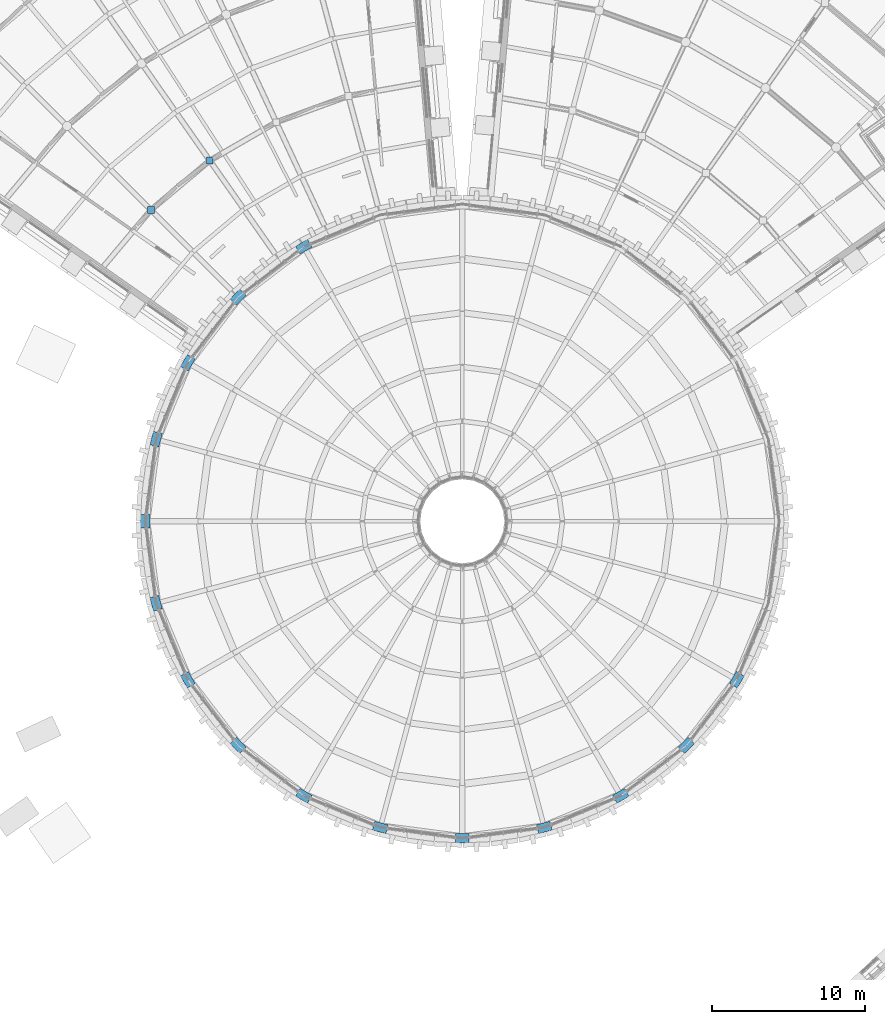
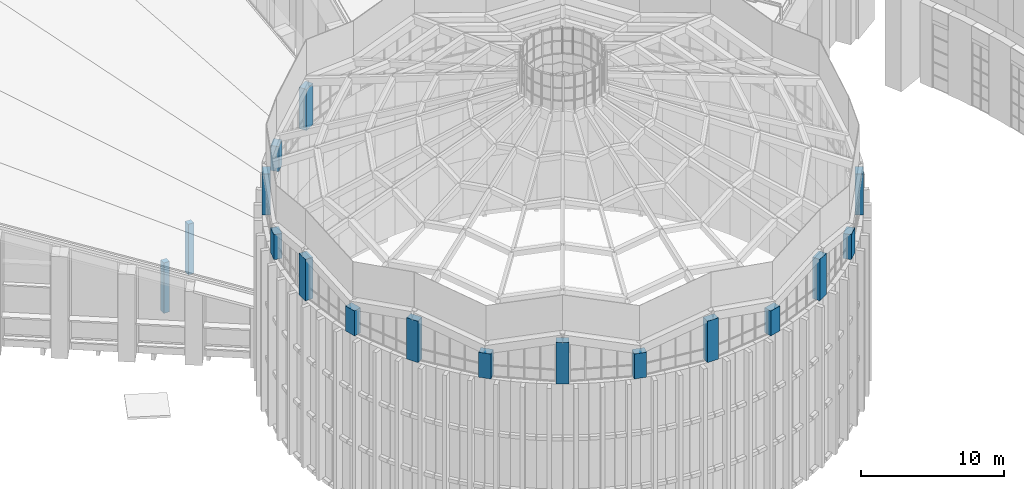
# One storey, part 1 of 82: 17 columns.
"""IFC4 building model written with IfcOpenShell, lengths in metres."""

from ifc_helpers import new_model, si_unit, direction, frame, origin, origin_2d, place, context, subcontext, project, spatial, rectangle, extrude, material, material_profile, profile_set, type_object, element, save


model = new_model("IFC4")

# Units and contexts
model_context = context("Model", 3, precision=1e-05, world=origin(), true_north=direction((0.0, 1.0)))
body_context = subcontext(model_context, "Body", "Model", "MODEL_VIEW")
ifc_project = project(units=[si_unit("LENGTHUNIT", "METRE"), si_unit("AREAUNIT", "SQUARE_METRE"), si_unit("VOLUMEUNIT", "CUBIC_METRE"), si_unit("PLANEANGLEUNIT", "RADIAN"), si_unit("MASSUNIT", "GRAM", prefix="KILO")], contexts=[model_context])

# Site, building, storey
site_placement = place(None, origin())
site = spatial("IfcSite", under=ifc_project, at=site_placement, CompositionType="ELEMENT")
building_placement = place(site_placement, origin())
building = spatial("IfcBuilding", under=site, at=building_placement, Name="Volute Hill Aquarium", CompositionType="ELEMENT")
storey_placement = place(building_placement, frame((0.0, 0.0, 13.800048828125)))
storey = spatial("IfcBuildingStorey", under=building, at=storey_placement, Name="L04", CompositionType="ELEMENT", Elevation=13.800048828125)

# Columns
ifc_material_1 = material(Name="Precast concrete C40/50", Category="concrete")
ifc_material_profile_1 = material_profile(ifc_material_1, rectangle(XDim=0.60009765625, YDim=0.89990234375, at=origin_2d()), Name="RC pier 600x900")
ifc_profile_set_1 = profile_set([ifc_material_profile_1], Name="Precast concrete C40/50")
column_type_1 = type_object("IfcColumnType", Name="Clerestory pier RC 600x900", PredefinedType="COLUMN", material=ifc_profile_set_1)
column_1_placement = place(storey_placement, frame((-10.35009765625, 17.9267578125, 13.699951171875), z_axis=(0.0, 0.0, 1.0), x_axis=(-0.5, 0.866025403784, 0.0)))
element("IfcColumn", 1, at=column_1_placement, inside=storey, type_object=column_type_1, Name="col/DR/L04/8", PredefinedType="COLUMN", context=body_context, shape_type="SweptSolid", body=[
    extrude(rectangle(XDim=0.60009765625, YDim=0.89990234375, at=origin_2d()), origin(), (0.0, 0.0, 1.0), 3.52734375),
])
column_2_placement = place(storey_placement, frame((-14.63720703125, 14.63720703125, 13.699951171875), z_axis=(0.0, 0.0, 1.0), x_axis=(-0.707106781187, 0.707106781187, 0.0)))
element("IfcColumn", 2, at=column_2_placement, inside=storey, type_object=column_type_1, Name="col/DR/L04/9", PredefinedType="COLUMN", context=body_context, shape_type="SweptSolid", body=[
    extrude(rectangle(XDim=0.60009765625, YDim=0.89990234375, at=origin_2d()), origin(), (0.0, 0.0, 1.0), 2.127197265625),
])
column_3_placement = place(storey_placement, frame((-17.9267578125, 10.35009765625, 13.699951171875), z_axis=(0.0, 0.0, 1.0), x_axis=(-0.866025403784, 0.5, 0.0)))
element("IfcColumn", 3, at=column_3_placement, inside=storey, type_object=column_type_1, Name="col/DR/L04/10", PredefinedType="COLUMN", context=body_context, shape_type="SweptSolid", body=[
    extrude(rectangle(XDim=0.60009765625, YDim=0.89990234375, at=origin_2d()), origin(), (0.0, 0.0, 1.0), 3.52734375),
])
column_4_placement = place(storey_placement, frame((-19.99462890625, 5.357666015625, 13.699951171875), z_axis=(0.0, 0.0, 1.0), x_axis=(-0.965925826289, 0.258819045103, 0.0)))
element("IfcColumn", 4, at=column_4_placement, inside=storey, type_object=column_type_1, Name="col/DR/L04/11", PredefinedType="COLUMN", context=body_context, shape_type="SweptSolid", body=[
    extrude(rectangle(XDim=0.60009765625, YDim=0.89990234375, at=origin_2d()), origin(), (0.0, 0.0, 1.0), 2.127197265625),
])
column_5_placement = place(storey_placement, frame((-20.699951171875, 0.0, 13.699951171875), z_axis=(0.0, 0.0, 1.0), x_axis=(-1.0, 0.0, 0.0)))
element("IfcColumn", 5, at=column_5_placement, inside=storey, type_object=column_type_1, Name="col/DR/L04/12", PredefinedType="COLUMN", context=body_context, shape_type="SweptSolid", body=[
    extrude(rectangle(XDim=0.60009765625, YDim=0.89990234375, at=origin_2d()), origin(), (0.0, 0.0, 1.0), 3.52734375),
])
column_6_placement = place(storey_placement, frame((-19.99462890625, -5.357666015625, 13.699951171875), z_axis=(0.0, 0.0, 1.0), x_axis=(-0.965925826289, -0.258819045103, 0.0)))
element("IfcColumn", 6, at=column_6_placement, inside=storey, type_object=column_type_1, Name="col/DR/L04/13", PredefinedType="COLUMN", context=body_context, shape_type="SweptSolid", body=[
    extrude(rectangle(XDim=0.60009765625, YDim=0.89990234375, at=origin_2d()), origin(), (0.0, 0.0, 1.0), 2.127197265625),
])
column_7_placement = place(storey_placement, frame((-17.9267578125, -10.35009765625, 13.699951171875), z_axis=(0.0, 0.0, 1.0), x_axis=(-0.866025403784, -0.5, 0.0)))
element("IfcColumn", 7, at=column_7_placement, inside=storey, type_object=column_type_1, Name="col/DR/L04/14", PredefinedType="COLUMN", context=body_context, shape_type="SweptSolid", body=[
    extrude(rectangle(XDim=0.60009765625, YDim=0.89990234375, at=origin_2d()), origin(), (0.0, 0.0, 1.0), 3.52734375),
])
column_8_placement = place(storey_placement, frame((-14.63720703125, -14.63720703125, 13.699951171875), z_axis=(0.0, 0.0, 1.0), x_axis=(-0.707106781187, -0.707106781187, 0.0)))
element("IfcColumn", 8, at=column_8_placement, inside=storey, type_object=column_type_1, Name="col/DR/L04/15", PredefinedType="COLUMN", context=body_context, shape_type="SweptSolid", body=[
    extrude(rectangle(XDim=0.60009765625, YDim=0.89990234375, at=origin_2d()), origin(), (0.0, 0.0, 1.0), 2.127197265625),
])
column_9_placement = place(storey_placement, frame((-10.35009765625, -17.9267578125, 13.699951171875), z_axis=(0.0, 0.0, 1.0), x_axis=(-0.5, -0.866025403784, 0.0)))
element("IfcColumn", 9, at=column_9_placement, inside=storey, type_object=column_type_1, Name="col/DR/L04/16", PredefinedType="COLUMN", context=body_context, shape_type="SweptSolid", body=[
    extrude(rectangle(XDim=0.60009765625, YDim=0.89990234375, at=origin_2d()), origin(), (0.0, 0.0, 1.0), 3.52734375),
])
column_10_placement = place(storey_placement, frame((-5.357666015625, -19.99462890625, 13.699951171875), z_axis=(0.0, 0.0, 1.0), x_axis=(-0.258819045103, -0.965925826289, 0.0)))
element("IfcColumn", 10, at=column_10_placement, inside=storey, type_object=column_type_1, Name="col/DR/L04/17", PredefinedType="COLUMN", context=body_context, shape_type="SweptSolid", body=[
    extrude(rectangle(XDim=0.60009765625, YDim=0.89990234375, at=origin_2d()), origin(), (0.0, 0.0, 1.0), 2.127197265625),
])
column_11_placement = place(storey_placement, frame((0.0, -20.699951171875, 13.699951171875), z_axis=(0.0, 0.0, 1.0), x_axis=(0.0, -1.0, 0.0)))
element("IfcColumn", 11, at=column_11_placement, inside=storey, type_object=column_type_1, Name="col/DR/L04/18", PredefinedType="COLUMN", context=body_context, shape_type="SweptSolid", body=[
    extrude(rectangle(XDim=0.60009765625, YDim=0.89990234375, at=origin_2d()), origin(), (0.0, 0.0, 1.0), 3.52734375),
])
column_12_placement = place(storey_placement, frame((5.357666015625, -19.99462890625, 13.699951171875), z_axis=(0.0, 0.0, 1.0), x_axis=(0.258819045103, -0.965925826289, 0.0)))
element("IfcColumn", 12, at=column_12_placement, inside=storey, type_object=column_type_1, Name="col/DR/L04/19", PredefinedType="COLUMN", context=body_context, shape_type="SweptSolid", body=[
    extrude(rectangle(XDim=0.60009765625, YDim=0.89990234375, at=origin_2d()), origin(), (0.0, 0.0, 1.0), 2.127197265625),
])
column_13_placement = place(storey_placement, frame((10.35009765625, -17.9267578125, 13.699951171875), z_axis=(0.0, 0.0, 1.0), x_axis=(0.5, -0.866025403784, 0.0)))
element("IfcColumn", 13, at=column_13_placement, inside=storey, type_object=column_type_1, Name="col/DR/L04/20", PredefinedType="COLUMN", context=body_context, shape_type="SweptSolid", body=[
    extrude(rectangle(XDim=0.60009765625, YDim=0.89990234375, at=origin_2d()), origin(), (0.0, 0.0, 1.0), 3.52734375),
])
column_14_placement = place(storey_placement, frame((14.63720703125, -14.63720703125, 13.699951171875), z_axis=(0.0, 0.0, 1.0), x_axis=(0.707106781187, -0.707106781187, 0.0)))
element("IfcColumn", 14, at=column_14_placement, inside=storey, type_object=column_type_1, Name="col/DR/L04/21", PredefinedType="COLUMN", context=body_context, shape_type="SweptSolid", body=[
    extrude(rectangle(XDim=0.60009765625, YDim=0.89990234375, at=origin_2d()), origin(), (0.0, 0.0, 1.0), 2.127197265625),
])
column_15_placement = place(storey_placement, frame((17.9267578125, -10.35009765625, 13.699951171875), z_axis=(0.0, 0.0, 1.0), x_axis=(0.866025403784, -0.5, 0.0)))
element("IfcColumn", 15, at=column_15_placement, inside=storey, type_object=column_type_1, Name="col/DR/L04/22", PredefinedType="COLUMN", context=body_context, shape_type="SweptSolid", body=[
    extrude(rectangle(XDim=0.60009765625, YDim=0.89990234375, at=origin_2d()), origin(), (0.0, 0.0, 1.0), 3.52734375),
])
ifc_material_2 = material(Name="Concrete C35/45", Category="concrete")
ifc_material_profile_2 = material_profile(ifc_material_2, rectangle(XDim=0.449951171875, YDim=0.449951171875, at=origin_2d()), Name="RC column 450x450")
ifc_profile_set_2 = profile_set([ifc_material_profile_2], Name="Concrete C35/45")
column_type_2 = type_object("IfcColumnType", Name="Column column 450x450 C35/45", PredefinedType="COLUMN", material=ifc_profile_set_2)
for number, where, z_axis, x_axis, name in (
    (16, (-16.490234375, 23.550537109375, 0.0), (0.0, 0.0, 1.0), (1.0, 0.0, 0.0), "col/S6/L04/1.3"),
    (17, (-20.329345703125, 20.329345703125, 0.0), (0.0, 0.0, 1.0), (1.0, 0.0, 0.0), "col/S6/L04/1.4"),
):
    element("IfcColumn", number, at=place(storey_placement, frame(where, z_axis=z_axis, x_axis=x_axis)), inside=storey, type_object=column_type_2, Name=name, PredefinedType="COLUMN", context=body_context, shape_type="SweptSolid", body=[
        extrude(rectangle(XDim=0.449951171875, YDim=0.449951171875, at=origin_2d()), origin(), (0.0, 0.0, 1.0), 4.300048828125),
    ])

save(model, "model.ifc")
